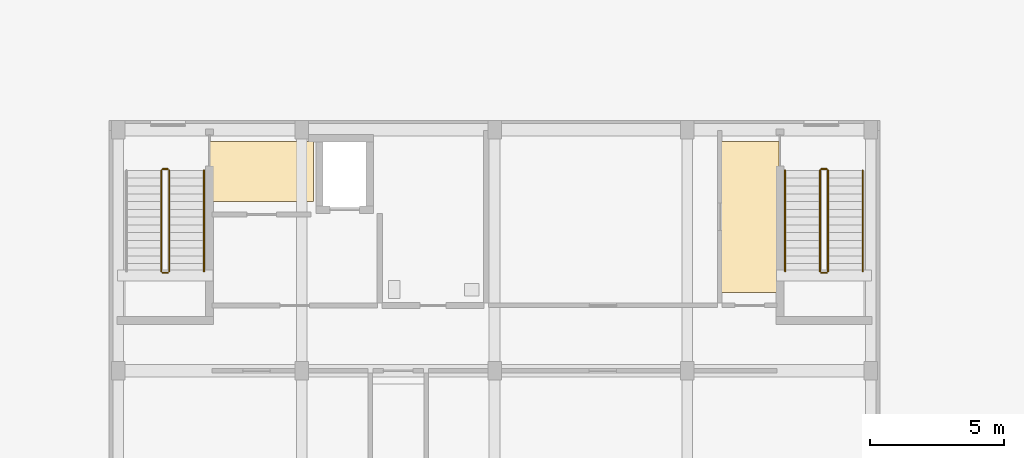
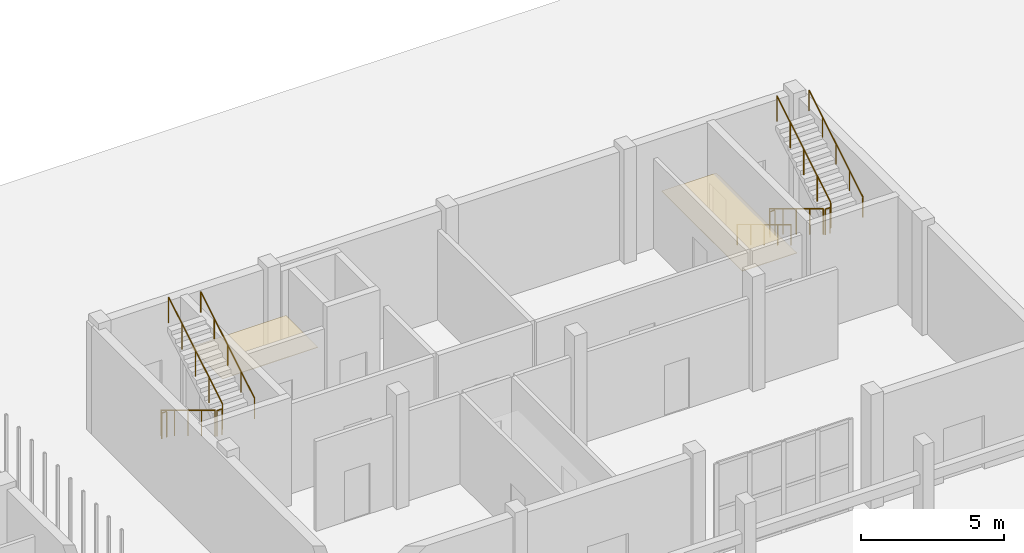
# One storey, part 60 of 85: 11 railings, 2 coverings.
"""IFC4 building model written with IfcOpenShell, lengths in metres."""

from ifc_helpers import new_model, si_unit, derived_unit, direction, frame, origin, origin_2d, place, context, subcontext, project, spatial, polyline, circle, outline, extrude, material, layer, layer_set, type_object, element, save


model = new_model("IFC4")

# Units and contexts
model_context = context("Model", 3, precision=1e-05, world=origin(), true_north=direction((0.0, 1.0)))
body_context = subcontext(model_context, "Body", "Model", "MODEL_VIEW")
ifc_project = project(units=[si_unit("LENGTHUNIT", "METRE"), si_unit("AREAUNIT", "SQUARE_METRE"), si_unit("VOLUMEUNIT", "CUBIC_METRE"), si_unit("PLANEANGLEUNIT", "RADIAN"), si_unit("MASSUNIT", "GRAM", prefix="KILO"), derived_unit("THERMALTRANSMITTANCEUNIT", [(si_unit("MASSUNIT", "GRAM", prefix="KILO"), 1), (si_unit("TIMEUNIT", "SECOND"), -3), (si_unit("THERMODYNAMICTEMPERATUREUNIT", "KELVIN"), -1)])], contexts=[model_context])

# Site, building, storey
site_placement = place(None, origin())
site = spatial("IfcSite", under=ifc_project, at=site_placement, CompositionType="ELEMENT")
building_placement = place(site_placement, origin())
building = spatial("IfcBuilding", under=site, at=building_placement, Name="Ochrekiln Boulevard Commons", CompositionType="ELEMENT")
storey_placement = place(building_placement, origin())
storey = spatial("IfcBuildingStorey", under=building, at=storey_placement, Name="L00", CompositionType="ELEMENT", Elevation=0.0)

# Coverings
ifc_material_1 = material(Name="Mineral-fibre acoustic ceiling tile")
ifc_layer = layer(ifc_material_1, 0.02490234375)
ifc_layer_set = layer_set([ifc_layer], Name="Mineral-fibre acoustic ceiling tile")
covering_type = type_object("IfcCoveringType", Name="COV-CEIL-AC", PredefinedType="CEILING", material=ifc_layer_set)
covering_1_placement = place(storey_placement, frame((0.0, 0.0, 2.64990234375)))
element("IfcCovering", 1, at=covering_1_placement, inside=storey, type_object=covering_type, Name="L00 Acoustic Corridor Ceiling 12", PredefinedType="CEILING", context=body_context, shape_type="SweptSolid", body=[
    extrude(outline(polyline([(32.570068359375, 18.580078125), (36.429931640625, 18.580078125), (36.429931640625, 20.820068359375), (32.570068359375, 20.820068359375), (32.570068359375, 18.580078125)])), origin(), (0.0, 0.0, 1.0), 0.025146484375),
])
covering_2_placement = place(storey_placement, frame((0.0, 0.0, 2.64990234375)))
element("IfcCovering", 2, at=covering_2_placement, inside=storey, type_object=covering_type, Name="L00 Acoustic Corridor Ceiling 13", PredefinedType="CEILING", context=body_context, shape_type="SweptSolid", body=[
    extrude(outline(polyline([(51.6201171875, 15.179931640625), (53.830078125, 15.179931640625), (53.830078125, 20.820068359375), (51.6201171875, 20.820068359375), (51.6201171875, 15.179931640625)])), origin(), (0.0, 0.0, 1.0), 0.025146484375),
])

# Railings
ifc_material_2 = material(Name="Brushed stainless steel 316 tubular railing", Category="steel")
railing_type_1 = type_object("IfcRailingType", Name="RLG-HDR-900", PredefinedType="HANDRAIL", material=ifc_material_2)
railing_1_placement = place(storey_placement, frame((32.35009765625, 15.9599609375, 2.625)))
element("IfcRailing", 3, at=railing_1_placement, inside=storey, type_object=railing_type_1, Name="L00 ST-W1 stair handrail 2", PredefinedType="HANDRAIL", context=body_context, shape_type="SweptSolid", body=[
    extrude(circle(Radius=0.02392578125, at=origin_2d()), frame((0.0, 0.0, 0.8759765625), z_axis=(0.0, 0.856198655849, 0.51664674752), x_axis=(-1.0, 0.0, 0.0)), (0.0, 0.0, 1.0), 4.4033203125),
    extrude(circle(Radius=0.02099609375, at=origin_2d()), origin(), (0.0, 0.0, 1.0), 0.851806640625),
    extrude(circle(Radius=0.02099609375, at=origin_2d()), frame((0.0, 0.9423828125, 0.56884765625)), (0.0, 0.0, 1.0), 0.851806640625),
    extrude(circle(Radius=0.02099609375, at=origin_2d()), frame((0.0, 1.885009765625, 1.137451171875)), (0.0, 0.0, 1.0), 0.851806640625),
    extrude(circle(Radius=0.02099609375, at=origin_2d()), frame((0.0, 2.82763671875, 1.7060546875)), (0.0, 0.0, 1.0), 0.851806640625),
    extrude(circle(Radius=0.02099609375, at=origin_2d()), frame((0.0, 3.77001953125, 2.27490234375)), (0.0, 0.0, 1.0), 0.851806640625),
])
railing_2_placement = place(storey_placement, frame((54.050048828125, 19.72998046875, 0.175048828125)))
element("IfcRailing", 4, at=railing_2_placement, inside=storey, type_object=railing_type_1, Name="L00 ST-W2 stair handrail 1", PredefinedType="HANDRAIL", context=body_context, shape_type="SweptSolid", body=[
    extrude(circle(Radius=0.02392578125, at=origin_2d()), frame((0.0, 0.0, 0.8759765625), z_axis=(0.0, -0.856198655849, 0.51664674752), x_axis=(1.0, 0.0, 0.0)), (0.0, 0.0, 1.0), 4.4033203125),
    extrude(circle(Radius=0.02099609375, at=origin_2d()), origin(), (0.0, 0.0, 1.0), 0.851806640625),
    extrude(circle(Radius=0.02099609375, at=origin_2d()), frame((0.0, -0.9423828125, 0.56884765625)), (0.0, 0.0, 1.0), 0.851806640625),
    extrude(circle(Radius=0.02099609375, at=origin_2d()), frame((0.0, -1.885009765625, 1.137451171875)), (0.0, 0.0, 1.0), 0.851806640625),
    extrude(circle(Radius=0.02099609375, at=origin_2d()), frame((0.0, -2.82763671875, 1.7060546875)), (0.0, 0.0, 1.0), 0.851806640625),
    extrude(circle(Radius=0.02099609375, at=origin_2d()), frame((0.0, -3.77001953125, 2.27490234375)), (0.0, 0.0, 1.0), 0.851806640625),
])
railing_3_placement = place(storey_placement, frame((56.949951171875, 15.9599609375, 2.625)))
element("IfcRailing", 5, at=railing_3_placement, inside=storey, type_object=railing_type_1, Name="L00 ST-W2 stair handrail 2", PredefinedType="HANDRAIL", context=body_context, shape_type="SweptSolid", body=[
    extrude(circle(Radius=0.02392578125, at=origin_2d()), frame((0.0, 0.0, 0.8759765625), z_axis=(0.0, 0.856198655849, 0.51664674752), x_axis=(-1.0, 0.0, 0.0)), (0.0, 0.0, 1.0), 4.4033203125),
    extrude(circle(Radius=0.02099609375, at=origin_2d()), origin(), (0.0, 0.0, 1.0), 0.851806640625),
    extrude(circle(Radius=0.02099609375, at=origin_2d()), frame((0.0, 0.9423828125, 0.56884765625)), (0.0, 0.0, 1.0), 0.851806640625),
    extrude(circle(Radius=0.02099609375, at=origin_2d()), frame((0.0, 1.885009765625, 1.137451171875)), (0.0, 0.0, 1.0), 0.851806640625),
    extrude(circle(Radius=0.02099609375, at=origin_2d()), frame((0.0, 2.82763671875, 1.7060546875)), (0.0, 0.0, 1.0), 0.851806640625),
    extrude(circle(Radius=0.02099609375, at=origin_2d()), frame((0.0, 3.77001953125, 2.27490234375)), (0.0, 0.0, 1.0), 0.851806640625),
])
railing_type_2 = type_object("IfcRailingType", Name="RLG-STR-1120", PredefinedType="BALUSTRADE", material=ifc_material_2)
railing_4_placement = place(storey_placement, frame((30.75, 19.72998046875, 0.175048828125)))
element("IfcRailing", 6, at=railing_4_placement, inside=storey, type_object=railing_type_2, Name="L00 ST-W1 stair guard 1", PredefinedType="BALUSTRADE", context=body_context, shape_type="SweptSolid", body=[
    extrude(circle(Radius=0.02392578125, at=origin_2d()), frame((0.0, 0.0, 1.09619140625), z_axis=(0.0, -0.856198655849, 0.51664674752), x_axis=(1.0, 0.0, 0.0)), (0.0, 0.0, 1.0), 4.4033203125),
    extrude(circle(Radius=0.02099609375, at=origin_2d()), origin(), (0.0, 0.0, 1.0), 1.072021484375),
    extrude(circle(Radius=0.02099609375, at=origin_2d()), frame((0.0, -0.9423828125, 0.56884765625)), (0.0, 0.0, 1.0), 1.072021484375),
    extrude(circle(Radius=0.02099609375, at=origin_2d()), frame((0.0, -1.885009765625, 1.137451171875)), (0.0, 0.0, 1.0), 1.072021484375),
    extrude(circle(Radius=0.02099609375, at=origin_2d()), frame((0.0, -2.82763671875, 1.7060546875)), (0.0, 0.0, 1.0), 1.072021484375),
    extrude(circle(Radius=0.02099609375, at=origin_2d()), frame((0.0, -3.77001953125, 2.27490234375)), (0.0, 0.0, 1.0), 1.072021484375),
])
railing_5_placement = place(storey_placement, frame((30.800048828125, 15.909912109375, 2.449951171875)))
element("IfcRailing", 7, at=railing_5_placement, inside=storey, type_object=railing_type_2, Name="L00 ST-W1 stair guard 2", PredefinedType="BALUSTRADE", context=body_context, shape_type="SweptSolid", body=[
    extrude(circle(Radius=0.02392578125, at=origin_2d()), frame((0.0, 0.0, 1.09619140625), z_axis=(1.0, 0.0, 0.0), x_axis=(0.0, 1.0, 0.0)), (0.0, 0.0, 1.0), 0.199951171875),
    extrude(circle(Radius=0.02099609375, at=origin_2d()), origin(), (0.0, 0.0, 1.0), 1.072021484375),
    extrude(circle(Radius=0.02099609375, at=origin_2d()), frame((0.199951171875, 0.0, 0.0)), (0.0, 0.0, 1.0), 1.072021484375),
])
railing_6_placement = place(storey_placement, frame((31.050048828125, 15.9599609375, 2.625)))
element("IfcRailing", 8, at=railing_6_placement, inside=storey, type_object=railing_type_2, Name="L00 ST-W1 stair guard 3", PredefinedType="BALUSTRADE", context=body_context, shape_type="SweptSolid", body=[
    extrude(circle(Radius=0.02392578125, at=origin_2d()), frame((0.0, 0.0, 1.09619140625), z_axis=(0.0, 0.856198655849, 0.51664674752), x_axis=(-1.0, 0.0, 0.0)), (0.0, 0.0, 1.0), 4.4033203125),
    extrude(circle(Radius=0.02099609375, at=origin_2d()), origin(), (0.0, 0.0, 1.0), 1.072021484375),
    extrude(circle(Radius=0.02099609375, at=origin_2d()), frame((0.0, 0.9423828125, 0.56884765625)), (0.0, 0.0, 1.0), 1.072021484375),
    extrude(circle(Radius=0.02099609375, at=origin_2d()), frame((0.0, 1.885009765625, 1.137451171875)), (0.0, 0.0, 1.0), 1.072021484375),
    extrude(circle(Radius=0.02099609375, at=origin_2d()), frame((0.0, 2.82763671875, 1.7060546875)), (0.0, 0.0, 1.0), 1.072021484375),
    extrude(circle(Radius=0.02099609375, at=origin_2d()), frame((0.0, 3.77001953125, 2.27490234375)), (0.0, 0.0, 1.0), 1.072021484375),
])
railing_7_placement = place(storey_placement, frame((30.800048828125, 19.780029296875, 0.0)))
element("IfcRailing", 9, at=railing_7_placement, inside=storey, type_object=railing_type_2, Name="L00 ST-W1 stair guard 4", PredefinedType="BALUSTRADE", context=body_context, shape_type="SweptSolid", body=[
    extrude(circle(Radius=0.02392578125, at=origin_2d()), frame((0.0, 0.0, 1.09619140625), z_axis=(1.0, 0.0, 0.0), x_axis=(0.0, 1.0, 0.0)), (0.0, 0.0, 1.0), 0.199951171875),
    extrude(circle(Radius=0.02099609375, at=origin_2d()), origin(), (0.0, 0.0, 1.0), 1.072021484375),
    extrude(circle(Radius=0.02099609375, at=origin_2d()), frame((0.199951171875, 0.0, 0.0)), (0.0, 0.0, 1.0), 1.072021484375),
])
railing_8_placement = place(storey_placement, frame((55.35009765625, 19.72998046875, 0.175048828125)))
element("IfcRailing", 10, at=railing_8_placement, inside=storey, type_object=railing_type_2, Name="L00 ST-W2 stair guard 1", PredefinedType="BALUSTRADE", context=body_context, shape_type="SweptSolid", body=[
    extrude(circle(Radius=0.02392578125, at=origin_2d()), frame((0.0, 0.0, 1.09619140625), z_axis=(0.0, -0.856198655849, 0.51664674752), x_axis=(1.0, 0.0, 0.0)), (0.0, 0.0, 1.0), 4.4033203125),
    extrude(circle(Radius=0.02099609375, at=origin_2d()), origin(), (0.0, 0.0, 1.0), 1.072021484375),
    extrude(circle(Radius=0.02099609375, at=origin_2d()), frame((0.0, -0.9423828125, 0.56884765625)), (0.0, 0.0, 1.0), 1.072021484375),
    extrude(circle(Radius=0.02099609375, at=origin_2d()), frame((0.0, -1.885009765625, 1.137451171875)), (0.0, 0.0, 1.0), 1.072021484375),
    extrude(circle(Radius=0.02099609375, at=origin_2d()), frame((0.0, -2.82763671875, 1.7060546875)), (0.0, 0.0, 1.0), 1.072021484375),
    extrude(circle(Radius=0.02099609375, at=origin_2d()), frame((0.0, -3.77001953125, 2.27490234375)), (0.0, 0.0, 1.0), 1.072021484375),
])
railing_9_placement = place(storey_placement, frame((55.39990234375, 15.909912109375, 2.449951171875)))
element("IfcRailing", 11, at=railing_9_placement, inside=storey, type_object=railing_type_2, Name="L00 ST-W2 stair guard 2", PredefinedType="BALUSTRADE", context=body_context, shape_type="SweptSolid", body=[
    extrude(circle(Radius=0.02392578125, at=origin_2d()), frame((0.0, 0.0, 1.09619140625), z_axis=(1.0, 0.0, 0.0), x_axis=(0.0, 1.0, 0.0)), (0.0, 0.0, 1.0), 0.2001953125),
    extrude(circle(Radius=0.02099609375, at=origin_2d()), origin(), (0.0, 0.0, 1.0), 1.072021484375),
    extrude(circle(Radius=0.02099609375, at=origin_2d()), frame((0.2001953125, 0.0, 0.0)), (0.0, 0.0, 1.0), 1.072021484375),
])
railing_10_placement = place(storey_placement, frame((55.64990234375, 15.9599609375, 2.625)))
element("IfcRailing", 12, at=railing_10_placement, inside=storey, type_object=railing_type_2, Name="L00 ST-W2 stair guard 3", PredefinedType="BALUSTRADE", context=body_context, shape_type="SweptSolid", body=[
    extrude(circle(Radius=0.02392578125, at=origin_2d()), frame((0.0, 0.0, 1.09619140625), z_axis=(0.0, 0.856198655849, 0.51664674752), x_axis=(-1.0, 0.0, 0.0)), (0.0, 0.0, 1.0), 4.4033203125),
    extrude(circle(Radius=0.02099609375, at=origin_2d()), origin(), (0.0, 0.0, 1.0), 1.072021484375),
    extrude(circle(Radius=0.02099609375, at=origin_2d()), frame((0.0, 0.9423828125, 0.56884765625)), (0.0, 0.0, 1.0), 1.072021484375),
    extrude(circle(Radius=0.02099609375, at=origin_2d()), frame((0.0, 1.885009765625, 1.137451171875)), (0.0, 0.0, 1.0), 1.072021484375),
    extrude(circle(Radius=0.02099609375, at=origin_2d()), frame((0.0, 2.82763671875, 1.7060546875)), (0.0, 0.0, 1.0), 1.072021484375),
    extrude(circle(Radius=0.02099609375, at=origin_2d()), frame((0.0, 3.77001953125, 2.27490234375)), (0.0, 0.0, 1.0), 1.072021484375),
])
railing_11_placement = place(storey_placement, frame((55.39990234375, 19.780029296875, 0.0)))
element("IfcRailing", 13, at=railing_11_placement, inside=storey, type_object=railing_type_2, Name="L00 ST-W2 stair guard 4", PredefinedType="BALUSTRADE", context=body_context, shape_type="SweptSolid", body=[
    extrude(circle(Radius=0.02392578125, at=origin_2d()), frame((0.0, 0.0, 1.09619140625), z_axis=(1.0, 0.0, 0.0), x_axis=(0.0, 1.0, 0.0)), (0.0, 0.0, 1.0), 0.2001953125),
    extrude(circle(Radius=0.02099609375, at=origin_2d()), origin(), (0.0, 0.0, 1.0), 1.072021484375),
    extrude(circle(Radius=0.02099609375, at=origin_2d()), frame((0.2001953125, 0.0, 0.0)), (0.0, 0.0, 1.0), 1.072021484375),
])

save(model, "model.ifc")
